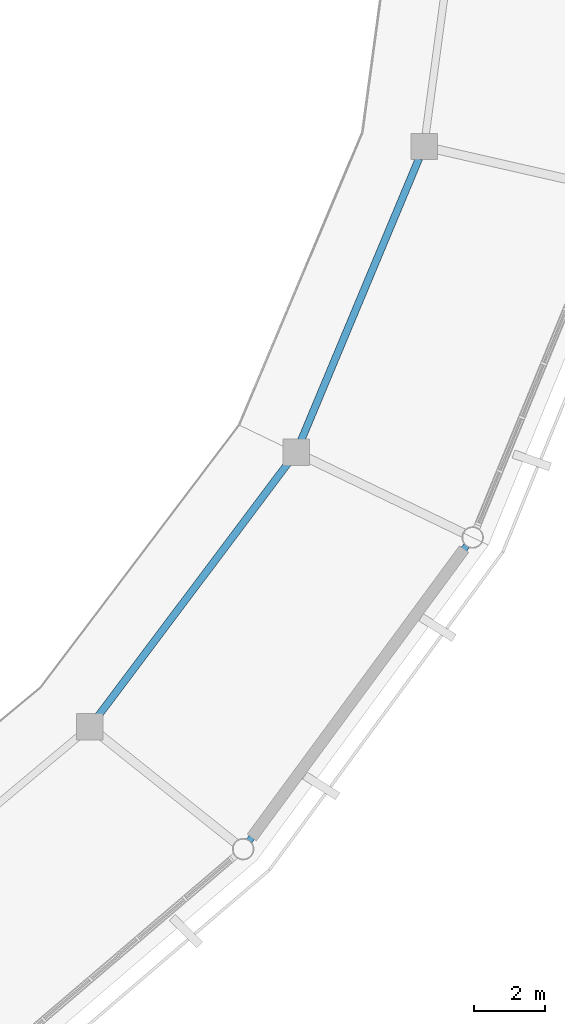
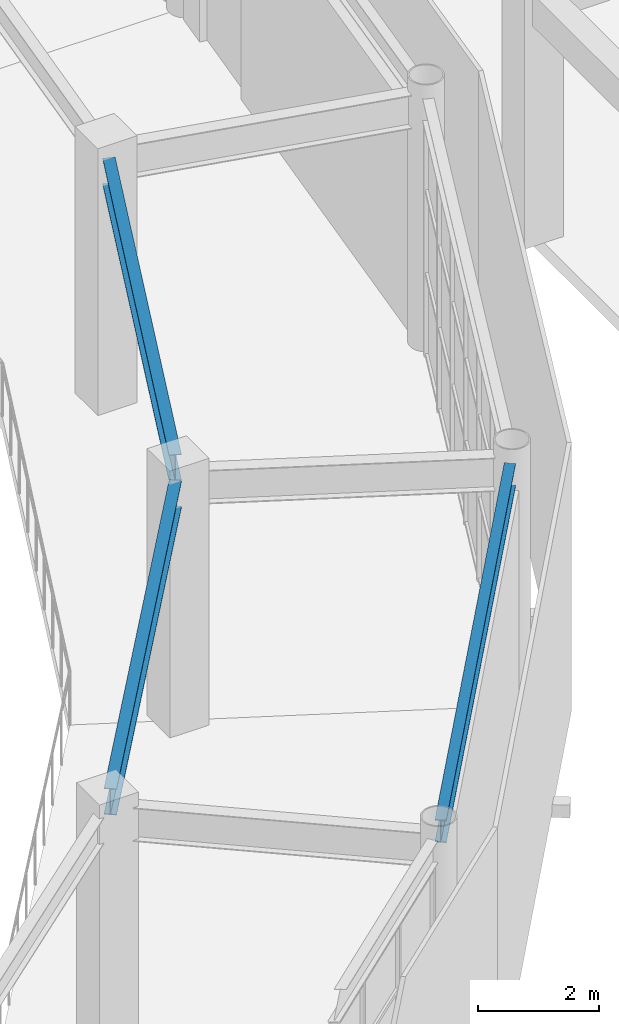
# One storey, part 23 of 70: 3 beams.
"""IFC4 building model written with IfcOpenShell, lengths in metres."""

from ifc_helpers import new_model, si_unit, direction, frame, origin, origin_2d, place, context, subcontext, project, spatial, i_section, extrude, material, material_profile, profile_set, type_object, element, save


model = new_model("IFC4")

# Units and contexts
model_context = context("Model", 3, precision=1e-05, world=origin(), true_north=direction((0.0, 1.0)))
body_context = subcontext(model_context, "Body", "Model", "MODEL_VIEW")
ifc_project = project(units=[si_unit("LENGTHUNIT", "METRE"), si_unit("AREAUNIT", "SQUARE_METRE"), si_unit("VOLUMEUNIT", "CUBIC_METRE"), si_unit("PLANEANGLEUNIT", "RADIAN"), si_unit("MASSUNIT", "GRAM", prefix="KILO")], contexts=[model_context])

# Site, building, storey
site_placement = place(None, origin())
site = spatial("IfcSite", under=ifc_project, at=site_placement, CompositionType="ELEMENT")
building_placement = place(site_placement, origin())
building = spatial("IfcBuilding", under=site, at=building_placement, Name="Cuetzalor Civic Arena", CompositionType="ELEMENT")
storey_placement = place(building_placement, frame((0.0, 0.0, 21.0)))
storey = spatial("IfcBuildingStorey", under=building, at=storey_placement, Name="L04", CompositionType="ELEMENT", Elevation=21.0)

# Beams
ifc_material_1 = material(Name="Steel S355", Category="steel")
ifc_material_profile_1 = material_profile(ifc_material_1, i_section(OverallWidth=0.18994140625, OverallDepth=0.45703125, WebThickness=0.009033203125, FlangeThickness=0.014404296875, at=origin_2d()), Name="W460x74")
ifc_profile_set_1 = profile_set([ifc_material_profile_1], Name="Steel S355")
beam_type_1 = type_object("IfcBeamType", Name="FacadeSpandrelBeam_W460", PredefinedType="SPANDREL", material=ifc_profile_set_1)
beam_1_placement = place(storey_placement, frame((42.82080078125, -28.7900390625, 4.8916015625), z_axis=(0.592928645702, 0.805255003776, 0.0), x_axis=(-0.805255003776, 0.592928645702, 0.0)))
element("IfcBeam", 1, at=beam_1_placement, inside=storey, type_object=beam_type_1, Name="Drum Perimeter Spandrel L04-S26", PredefinedType="SPANDREL", context=body_context, shape_type="SweptSolid", body=[
    extrude(i_section(OverallWidth=0.18994140625, OverallDepth=0.45703125, WebThickness=0.009033203125, FlangeThickness=0.014404296875, at=origin_2d()), origin(), (0.0, 0.0, 1.0), 10.380615234375),
])
ifc_material_2 = material(Name="Steel S355", Category="steel")
ifc_material_profile_2 = material_profile(ifc_material_2, i_section(OverallWidth=0.208984375, OverallDepth=0.532958984375, WebThickness=0.01025390625, FlangeThickness=0.015625, at=origin_2d()), Name="W530x92")
ifc_profile_set_2 = profile_set([ifc_material_profile_2], Name="Steel S355")
beam_type_2 = type_object("IfcBeamType", Name="SteelCollarGirder_W530", PredefinedType="BEAM", material=ifc_profile_set_2)
beam_2_placement = place(storey_placement, frame((38.531982421875, -25.26708984375, 4.853515625), z_axis=(0.600491348624, 0.799631252658, 0.0), x_axis=(-0.799631252658, 0.600491348624, 0.0)))
element("IfcBeam", 2, at=beam_2_placement, inside=storey, type_object=beam_type_2, Name="Drum Concourse Ring Girder L04-S26", PredefinedType="BEAM", context=body_context, shape_type="SweptSolid", body=[
    extrude(i_section(OverallWidth=0.208984375, OverallDepth=0.532958984375, WebThickness=0.01025390625, FlangeThickness=0.015625, at=origin_2d()), origin(), (0.0, 0.0, 1.0), 8.9814453125),
])
beam_3_placement = place(storey_placement, frame((44.290283203125, -17.44775390625, 4.853515625), z_axis=(0.385813116722, 0.922576955579, 0.0), x_axis=(-0.922576955579, 0.385813116722, 0.0)))
element("IfcBeam", 3, at=beam_3_placement, inside=storey, type_object=beam_type_2, Name="Drum Concourse Ring Girder L04-S27", PredefinedType="BEAM", context=body_context, shape_type="SweptSolid", body=[
    extrude(i_section(OverallWidth=0.208984375, OverallDepth=0.532958984375, WebThickness=0.01025390625, FlangeThickness=0.015625, at=origin_2d()), origin(), (0.0, 0.0, 1.0), 8.65283203125),
])

save(model, "model.ifc")
